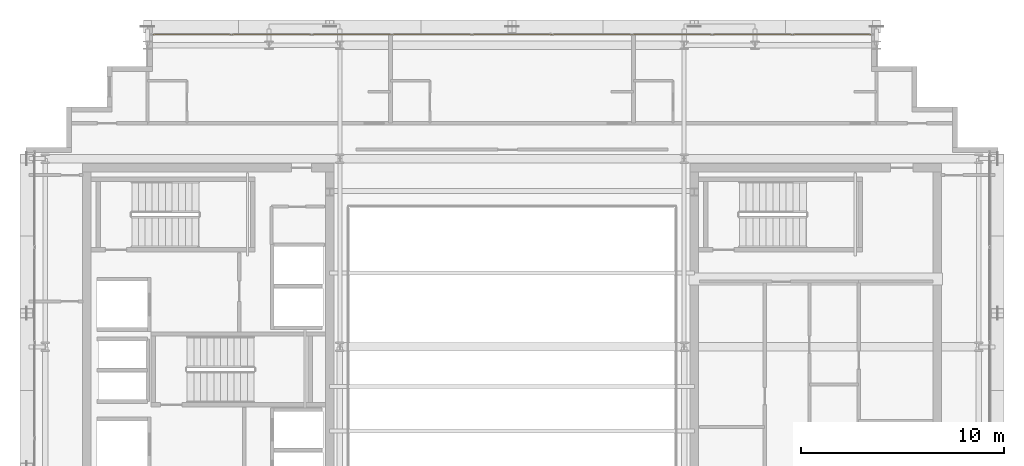
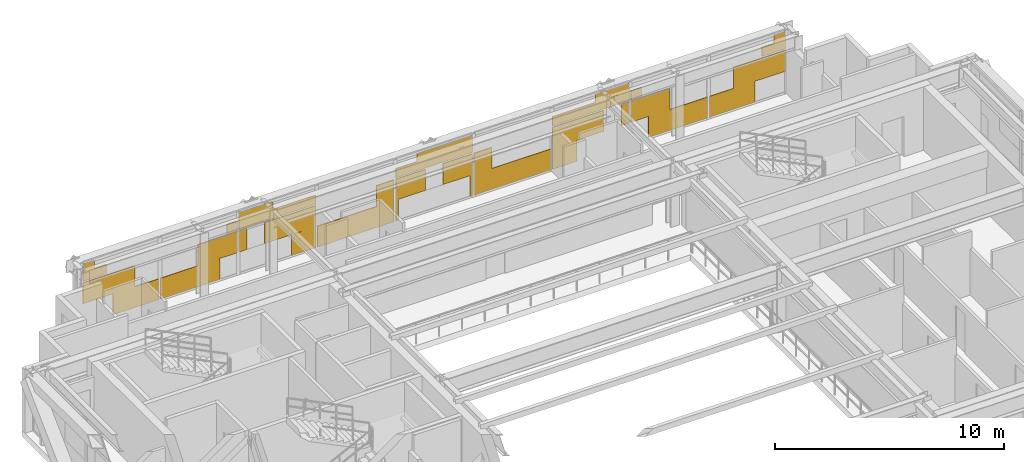
# One storey, part 29 of 29: 1 covering.
"""IFC4 building model written with IfcOpenShell, lengths in metres."""

from ifc_helpers import new_model, si_unit, direction, frame, origin, origin_2d, place, context, subcontext, project, spatial, rectangle, extrude, material, layer, layer_set, type_object, element, save


model = new_model("IFC4")

# Units and contexts
model_context = context("Model", 3, precision=1e-05, world=origin(), true_north=direction((0.0, 1.0)))
body_context = subcontext(model_context, "Body", "Model", "MODEL_VIEW")
ifc_project = project(units=[si_unit("LENGTHUNIT", "METRE"), si_unit("AREAUNIT", "SQUARE_METRE"), si_unit("VOLUMEUNIT", "CUBIC_METRE"), si_unit("PLANEANGLEUNIT", "RADIAN"), si_unit("MASSUNIT", "GRAM", prefix="KILO")], contexts=[model_context])

# Site, building, storey
site_placement = place(None, origin())
site = spatial("IfcSite", under=ifc_project, at=site_placement, CompositionType="ELEMENT")
building_placement = place(site_placement, origin())
building = spatial("IfcBuilding", under=site, at=building_placement, Name="Ocotamira Hotel", CompositionType="ELEMENT")
storey_placement = place(building_placement, frame((0.0, 0.0, 247.199951171875)))
storey = spatial("IfcBuildingStorey", under=building, at=storey_placement, Name="L62", CompositionType="ELEMENT", Elevation=247.199951171875)

# Covering
ifc_material = material(Name="Insulated pale-metal aluminium spandrel panel", Category="aluminium")
ifc_layer = layer(ifc_material, 0.044921875)
ifc_layer_set = layer_set([ifc_layer], Name="Insulated pale-metal aluminium spandrel panel")
covering_type = type_object("IfcCoveringType", Name="COV-INFILL-45", PredefinedType="CLADDING", material=ifc_layer_set)
covering_placement = place(storey_placement, origin())
element("IfcCovering", 1, at=covering_placement, inside=storey, type_object=covering_type, Name="L62 Curtain Wall Infill CW-5 CW-L62-N", PredefinedType="CLADDING", context=body_context, shape_type="SweptSolid", body=[
    extrude(rectangle(XDim=2.625, YDim=0.044921875, at=origin_2d()), frame((15.593017578125, 43.580078125, 1.1943359375), z_axis=(0.0, 0.0, 1.0), x_axis=(1.0, 0.0, 0.0)), (0.0, 0.0, 1.0), 1.11767578125),
    extrude(rectangle(XDim=2.310791015625, YDim=0.044921875, at=origin_2d()), frame((16.959716796875, 43.580078125, 0.07568359375), z_axis=(0.0, 0.0, 1.0), x_axis=(1.0, 0.0, 0.0)), (0.0, 0.0, 1.0), 1.117919921875),
    extrude(rectangle(XDim=1.173095703125, YDim=0.044921875, at=origin_2d()), frame((14.8671875, 43.580078125, 2.38818359375), z_axis=(0.0, 0.0, 1.0), x_axis=(1.0, 0.0, 0.0)), (0.0, 0.0, 1.0), 0.487060546875),
    extrude(rectangle(XDim=0.57958984375, YDim=0.044921875, at=origin_2d()), frame((14.5703125, 43.580078125, 2.8759765625), z_axis=(0.0, 0.0, 1.0), x_axis=(1.0, 0.0, 0.0)), (0.0, 0.0, 1.0), 0.428466796875),
    extrude(rectangle(XDim=2.99951171875, YDim=0.044921875, at=origin_2d()), frame((19.69580078125, 43.580078125, 0.07568359375), z_axis=(0.0, 0.0, 1.0), x_axis=(1.0, 0.0, 0.0)), (0.0, 0.0, 1.0), 1.117919921875),
    extrude(rectangle(XDim=1.97607421875, YDim=0.044921875, at=origin_2d()), frame((21.08251953125, 43.580078125, 1.1943359375), z_axis=(0.0, 0.0, 1.0), x_axis=(1.0, 0.0, 0.0)), (0.0, 0.0, 1.0), 1.11767578125),
    extrude(rectangle(XDim=0.524169921875, YDim=0.044921875, at=origin_2d()), frame((21.80859375, 43.580078125, 2.38818359375), z_axis=(0.0, 0.0, 1.0), x_axis=(1.0, 0.0, 0.0)), (0.0, 0.0, 1.0), 0.487060546875),
    extrude(rectangle(XDim=0.40478515625, YDim=0.044921875, at=origin_2d()), frame((22.35400390625, 43.580078125, 1.1943359375), z_axis=(0.0, 0.0, 1.0), x_axis=(1.0, 0.0, 0.0)), (0.0, 0.0, 1.0), 1.11767578125),
    extrude(rectangle(XDim=2.58251953125, YDim=0.044921875, at=origin_2d()), frame((24.73486328125, 43.580078125, 1.1943359375), z_axis=(0.0, 0.0, 1.0), x_axis=(1.0, 0.0, 0.0)), (0.0, 0.0, 1.0), 1.11767578125),
    extrude(rectangle(XDim=1.221923828125, YDim=0.044921875, at=origin_2d()), frame((25.415283203125, 43.580078125, 0.07568359375), z_axis=(0.0, 0.0, 1.0), x_axis=(1.0, 0.0, 0.0)), (0.0, 0.0, 1.0), 1.117919921875),
    extrude(rectangle(XDim=3.87451171875, YDim=0.044921875, at=origin_2d()), frame((24.0888671875, 43.580078125, 2.38818359375), z_axis=(0.0, 0.0, 1.0), x_axis=(1.0, 0.0, 0.0)), (0.0, 0.0, 1.0), 0.487060546875),
    extrude(rectangle(XDim=1.70849609375, YDim=0.044921875, at=origin_2d()), frame((23.005859375, 43.580078125, 2.8759765625), z_axis=(0.0, 0.0, 1.0), x_axis=(1.0, 0.0, 0.0)), (0.0, 0.0, 1.0), 0.428466796875),
    extrude(rectangle(XDim=3.87451171875, YDim=0.044921875, at=origin_2d()), frame((28.04443359375, 43.580078125, 0.07568359375), z_axis=(0.0, 0.0, 1.0), x_axis=(1.0, 0.0, 0.0)), (0.0, 0.0, 1.0), 1.117919921875),
    extrude(rectangle(XDim=0.88720703125, YDim=0.044921875, at=origin_2d()), frame((29.5380859375, 43.580078125, 1.1943359375), z_axis=(0.0, 0.0, 1.0), x_axis=(1.0, 0.0, 0.0)), (0.0, 0.0, 1.0), 1.11767578125),
    extrude(rectangle(XDim=0.133056640625, YDim=0.044921875, at=origin_2d()), frame((30.129150390625, 43.580078125, 0.07568359375), z_axis=(0.0, 0.0, 1.0), x_axis=(1.0, 0.0, 0.0)), (0.0, 0.0, 1.0), 1.117919921875),
    extrude(rectangle(XDim=1.49365234375, YDim=0.044921875, at=origin_2d()), frame((30.8095703125, 43.580078125, 1.1943359375), z_axis=(0.0, 0.0, 1.0), x_axis=(1.0, 0.0, 0.0)), (0.0, 0.0, 1.0), 1.11767578125),
    extrude(rectangle(XDim=1.49365234375, YDim=0.044921875, at=origin_2d()), frame((33.1904296875, 43.580078125, 1.1943359375), z_axis=(0.0, 0.0, 1.0), x_axis=(1.0, 0.0, 0.0)), (0.0, 0.0, 1.0), 1.11767578125),
    extrude(rectangle(XDim=0.133056640625, YDim=0.044921875, at=origin_2d()), frame((33.870849609375, 43.580078125, 0.07568359375), z_axis=(0.0, 0.0, 1.0), x_axis=(1.0, 0.0, 0.0)), (0.0, 0.0, 1.0), 1.117919921875),
    extrude(rectangle(XDim=3.87451171875, YDim=0.044921875, at=origin_2d()), frame((32.0, 43.580078125, 2.38818359375), z_axis=(0.0, 0.0, 1.0), x_axis=(1.0, 0.0, 0.0)), (0.0, 0.0, 1.0), 0.487060546875),
    extrude(rectangle(XDim=2.79736328125, YDim=0.044921875, at=origin_2d()), frame((32.53857421875, 43.580078125, 2.8759765625), z_axis=(0.0, 0.0, 1.0), x_axis=(1.0, 0.0, 0.0)), (0.0, 0.0, 1.0), 0.428466796875),
    extrude(rectangle(XDim=3.87451171875, YDim=0.044921875, at=origin_2d()), frame((35.95556640625, 43.580078125, 0.07568359375), z_axis=(0.0, 0.0, 1.0), x_axis=(1.0, 0.0, 0.0)), (0.0, 0.0, 1.0), 1.117919921875),
    extrude(rectangle(XDim=0.88720703125, YDim=0.044921875, at=origin_2d()), frame((34.4619140625, 43.580078125, 1.1943359375), z_axis=(0.0, 0.0, 1.0), x_axis=(1.0, 0.0, 0.0)), (0.0, 0.0, 1.0), 1.11767578125),
    extrude(rectangle(XDim=1.221923828125, YDim=0.044921875, at=origin_2d()), frame((38.584716796875, 43.580078125, 0.07568359375), z_axis=(0.0, 0.0, 1.0), x_axis=(1.0, 0.0, 0.0)), (0.0, 0.0, 1.0), 1.117919921875),
    extrude(rectangle(XDim=2.58251953125, YDim=0.044921875, at=origin_2d()), frame((39.26513671875, 43.580078125, 1.1943359375), z_axis=(0.0, 0.0, 1.0), x_axis=(1.0, 0.0, 0.0)), (0.0, 0.0, 1.0), 1.11767578125),
    extrude(rectangle(XDim=0.40478515625, YDim=0.044921875, at=origin_2d()), frame((41.64599609375, 43.580078125, 1.1943359375), z_axis=(0.0, 0.0, 1.0), x_axis=(1.0, 0.0, 0.0)), (0.0, 0.0, 1.0), 1.11767578125),
    extrude(rectangle(XDim=3.87451171875, YDim=0.044921875, at=origin_2d()), frame((39.9111328125, 43.580078125, 2.38818359375), z_axis=(0.0, 0.0, 1.0), x_axis=(1.0, 0.0, 0.0)), (0.0, 0.0, 1.0), 0.487060546875),
    extrude(rectangle(XDim=1.70849609375, YDim=0.044921875, at=origin_2d()), frame((40.994140625, 43.580078125, 2.8759765625), z_axis=(0.0, 0.0, 1.0), x_axis=(1.0, 0.0, 0.0)), (0.0, 0.0, 1.0), 0.428466796875),
    extrude(rectangle(XDim=1.97607421875, YDim=0.044921875, at=origin_2d()), frame((42.91748046875, 43.580078125, 1.1943359375), z_axis=(0.0, 0.0, 1.0), x_axis=(1.0, 0.0, 0.0)), (0.0, 0.0, 1.0), 1.11767578125),
    extrude(rectangle(XDim=2.99951171875, YDim=0.044921875, at=origin_2d()), frame((44.30419921875, 43.580078125, 0.07568359375), z_axis=(0.0, 0.0, 1.0), x_axis=(1.0, 0.0, 0.0)), (0.0, 0.0, 1.0), 1.117919921875),
    extrude(rectangle(XDim=0.524169921875, YDim=0.044921875, at=origin_2d()), frame((42.19140625, 43.580078125, 2.38818359375), z_axis=(0.0, 0.0, 1.0), x_axis=(1.0, 0.0, 0.0)), (0.0, 0.0, 1.0), 0.487060546875),
    extrude(rectangle(XDim=2.310791015625, YDim=0.044921875, at=origin_2d()), frame((47.040283203125, 43.580078125, 0.07568359375), z_axis=(0.0, 0.0, 1.0), x_axis=(1.0, 0.0, 0.0)), (0.0, 0.0, 1.0), 1.117919921875),
    extrude(rectangle(XDim=2.625, YDim=0.044921875, at=origin_2d()), frame((48.406982421875, 43.580078125, 1.1943359375), z_axis=(0.0, 0.0, 1.0), x_axis=(1.0, 0.0, 0.0)), (0.0, 0.0, 1.0), 1.11767578125),
    extrude(rectangle(XDim=1.173095703125, YDim=0.044921875, at=origin_2d()), frame((49.1328125, 43.580078125, 2.38818359375), z_axis=(0.0, 0.0, 1.0), x_axis=(1.0, 0.0, 0.0)), (0.0, 0.0, 1.0), 0.487060546875),
    extrude(rectangle(XDim=0.57958984375, YDim=0.044921875, at=origin_2d()), frame((49.4296875, 43.580078125, 2.8759765625), z_axis=(0.0, 0.0, 1.0), x_axis=(1.0, 0.0, 0.0)), (0.0, 0.0, 1.0), 0.428466796875),
])

save(model, "model.ifc")
